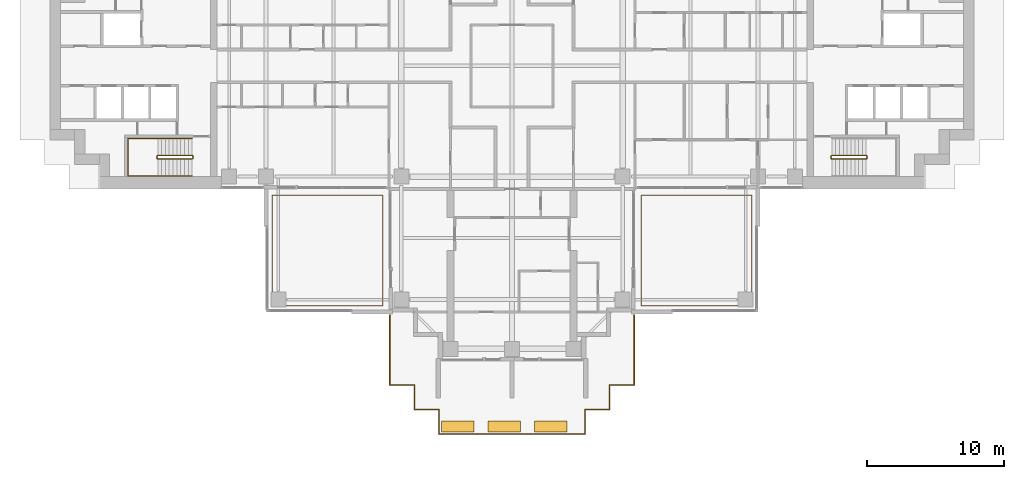
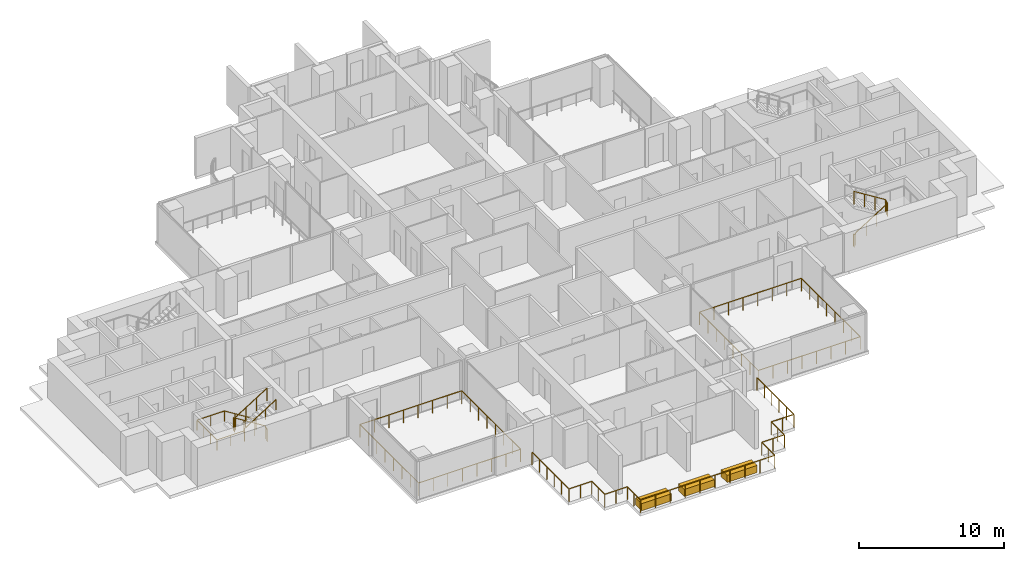
# One storey, part 18 of 20: 6 railings, 3 coverings.
"""IFC4 building model written with IfcOpenShell, lengths in metres."""

from ifc_helpers import new_model, si_unit, direction, frame, origin, origin_2d, place, context, subcontext, project, spatial, rectangle, extrude, material, type_object, element, save


model = new_model("IFC4")

# Units and contexts
model_context = context("Model", 3, precision=1e-05, world=origin(), true_north=direction((0.0, 1.0)))
body_context = subcontext(model_context, "Body", "Model", "MODEL_VIEW")
ifc_project = project(units=[si_unit("LENGTHUNIT", "METRE"), si_unit("AREAUNIT", "SQUARE_METRE"), si_unit("VOLUMEUNIT", "CUBIC_METRE"), si_unit("PLANEANGLEUNIT", "RADIAN"), si_unit("MASSUNIT", "GRAM", prefix="KILO")], contexts=[model_context])

# Site, building, storey
site_placement = place(None, origin())
site = spatial("IfcSite", under=ifc_project, at=site_placement, CompositionType="ELEMENT")
building_placement = place(site_placement, origin())
building = spatial("IfcBuilding", under=site, at=building_placement, Name="Perihelion Cross Residences", CompositionType="ELEMENT")
storey_placement = place(building_placement, frame((0.0, 0.0, 102.39990234375)))
storey = spatial("IfcBuildingStorey", under=building, at=storey_placement, Name="L23", CompositionType="ELEMENT", Elevation=102.39990234375)

# Railings
ifc_material_1 = material(Name="Bronze anodised aluminium", Category="aluminium")
railing_type_1 = type_object("IfcRailingType", Name="Balcony guard 1100", PredefinedType="GUARDRAIL", material=ifc_material_1)
railing_1_placement = place(storey_placement, frame((17.550048828125, -17.550048828125, 0.0)))
element("IfcRailing", 1, at=railing_1_placement, inside=storey, type_object=railing_type_1, Name="Guard GU1 L23 pocket south-east 1", PredefinedType="GUARDRAIL", context=body_context, shape_type="SweptSolid", body=[
    extrude(rectangle(XDim=0.048095703125, YDim=0.048095703125, at=origin_2d()), frame((0.0, 0.0, 1.076171875), z_axis=(-1.0, 0.0, 0.0), x_axis=(0.0, -1.0, 0.0)), (0.0, 0.0, 1.0), 8.10009765625),
    extrude(rectangle(XDim=0.048095703125, YDim=0.048095703125, at=origin_2d()), frame((-8.10009765625, 0.0, 1.076171875), z_axis=(0.0, 1.0, 0.0), x_axis=(-1.0, 0.0, 0.0)), (0.0, 0.0, 1.0), 8.10009765625),
    extrude(rectangle(XDim=0.048095703125, YDim=0.048095703125, at=origin_2d()), frame((-8.10009765625, 8.10009765625, 1.076171875), z_axis=(1.0, 0.0, 0.0), x_axis=(0.0, 1.0, 0.0)), (0.0, 0.0, 1.0), 8.10009765625),
    extrude(rectangle(XDim=0.048095703125, YDim=0.048095703125, at=origin_2d()), frame((0.0, 8.10009765625, 1.076171875), z_axis=(0.0, -1.0, 0.0), x_axis=(1.0, 0.0, 0.0)), (0.0, 0.0, 1.0), 8.10009765625),
    extrude(rectangle(XDim=0.0419921875, YDim=0.0419921875, at=origin_2d()), origin(), (0.0, 0.0, 1.0), 1.052001953125),
    extrude(rectangle(XDim=0.0419921875, YDim=0.0419921875, at=origin_2d()), frame((-1.1572265625, 0.0, 0.0)), (0.0, 0.0, 1.0), 1.052001953125),
    extrude(rectangle(XDim=0.0419921875, YDim=0.0419921875, at=origin_2d()), frame((-2.314208984375, 0.0, 0.0)), (0.0, 0.0, 1.0), 1.052001953125),
    extrude(rectangle(XDim=0.0419921875, YDim=0.0419921875, at=origin_2d()), frame((-3.471435546875, 0.0, 0.0)), (0.0, 0.0, 1.0), 1.052001953125),
    extrude(rectangle(XDim=0.0419921875, YDim=0.0419921875, at=origin_2d()), frame((-4.628662109375, 0.0, 0.0)), (0.0, 0.0, 1.0), 1.052001953125),
    extrude(rectangle(XDim=0.0419921875, YDim=0.0419921875, at=origin_2d()), frame((-5.785888671875, 0.0, 0.0)), (0.0, 0.0, 1.0), 1.052001953125),
    extrude(rectangle(XDim=0.0419921875, YDim=0.0419921875, at=origin_2d()), frame((-6.94287109375, 0.0, 0.0)), (0.0, 0.0, 1.0), 1.052001953125),
    extrude(rectangle(XDim=0.0419921875, YDim=0.0419921875, at=origin_2d()), frame((-8.10009765625, 0.0, 0.0)), (0.0, 0.0, 1.0), 1.052001953125),
    extrude(rectangle(XDim=0.0419921875, YDim=0.0419921875, at=origin_2d()), frame((-8.10009765625, 1.1572265625, 0.0)), (0.0, 0.0, 1.0), 1.052001953125),
    extrude(rectangle(XDim=0.0419921875, YDim=0.0419921875, at=origin_2d()), frame((-8.10009765625, 2.314208984375, 0.0)), (0.0, 0.0, 1.0), 1.052001953125),
    extrude(rectangle(XDim=0.0419921875, YDim=0.0419921875, at=origin_2d()), frame((-8.10009765625, 3.471435546875, 0.0)), (0.0, 0.0, 1.0), 1.052001953125),
    extrude(rectangle(XDim=0.0419921875, YDim=0.0419921875, at=origin_2d()), frame((-8.10009765625, 4.628662109375, 0.0)), (0.0, 0.0, 1.0), 1.052001953125),
    extrude(rectangle(XDim=0.0419921875, YDim=0.0419921875, at=origin_2d()), frame((-8.10009765625, 5.785888671875, 0.0)), (0.0, 0.0, 1.0), 1.052001953125),
    extrude(rectangle(XDim=0.0419921875, YDim=0.0419921875, at=origin_2d()), frame((-8.10009765625, 6.94287109375, 0.0)), (0.0, 0.0, 1.0), 1.052001953125),
    extrude(rectangle(XDim=0.0419921875, YDim=0.0419921875, at=origin_2d()), frame((-8.10009765625, 8.10009765625, 0.0)), (0.0, 0.0, 1.0), 1.052001953125),
    extrude(rectangle(XDim=0.0419921875, YDim=0.0419921875, at=origin_2d()), frame((-6.94287109375, 8.10009765625, 0.0)), (0.0, 0.0, 1.0), 1.052001953125),
    extrude(rectangle(XDim=0.0419921875, YDim=0.0419921875, at=origin_2d()), frame((-5.785888671875, 8.10009765625, 0.0)), (0.0, 0.0, 1.0), 1.052001953125),
    extrude(rectangle(XDim=0.0419921875, YDim=0.0419921875, at=origin_2d()), frame((-4.628662109375, 8.10009765625, 0.0)), (0.0, 0.0, 1.0), 1.052001953125),
    extrude(rectangle(XDim=0.0419921875, YDim=0.0419921875, at=origin_2d()), frame((-3.471435546875, 8.10009765625, 0.0)), (0.0, 0.0, 1.0), 1.052001953125),
    extrude(rectangle(XDim=0.0419921875, YDim=0.0419921875, at=origin_2d()), frame((-2.314208984375, 8.10009765625, 0.0)), (0.0, 0.0, 1.0), 1.052001953125),
    extrude(rectangle(XDim=0.0419921875, YDim=0.0419921875, at=origin_2d()), frame((-1.1572265625, 8.10009765625, 0.0)), (0.0, 0.0, 1.0), 1.052001953125),
    extrude(rectangle(XDim=0.0419921875, YDim=0.0419921875, at=origin_2d()), frame((0.0, 8.10009765625, 0.0)), (0.0, 0.0, 1.0), 1.052001953125),
    extrude(rectangle(XDim=0.0419921875, YDim=0.0419921875, at=origin_2d()), frame((0.0, 6.94287109375, 0.0)), (0.0, 0.0, 1.0), 1.052001953125),
    extrude(rectangle(XDim=0.0419921875, YDim=0.0419921875, at=origin_2d()), frame((0.0, 5.785888671875, 0.0)), (0.0, 0.0, 1.0), 1.052001953125),
    extrude(rectangle(XDim=0.0419921875, YDim=0.0419921875, at=origin_2d()), frame((0.0, 4.628662109375, 0.0)), (0.0, 0.0, 1.0), 1.052001953125),
    extrude(rectangle(XDim=0.0419921875, YDim=0.0419921875, at=origin_2d()), frame((0.0, 3.471435546875, 0.0)), (0.0, 0.0, 1.0), 1.052001953125),
    extrude(rectangle(XDim=0.0419921875, YDim=0.0419921875, at=origin_2d()), frame((0.0, 2.314208984375, 0.0)), (0.0, 0.0, 1.0), 1.052001953125),
    extrude(rectangle(XDim=0.0419921875, YDim=0.0419921875, at=origin_2d()), frame((0.0, 1.1572265625, 0.0)), (0.0, 0.0, 1.0), 1.052001953125),
])
railing_2_placement = place(storey_placement, frame((-9.449951171875, -17.550048828125, 0.0)))
element("IfcRailing", 2, at=railing_2_placement, inside=storey, type_object=railing_type_1, Name="Guard GU1 L23 pocket south-west 1", PredefinedType="GUARDRAIL", context=body_context, shape_type="SweptSolid", body=[
    extrude(rectangle(XDim=0.048095703125, YDim=0.048095703125, at=origin_2d()), frame((0.0, 0.0, 1.076171875), z_axis=(-1.0, 0.0, 0.0), x_axis=(0.0, -1.0, 0.0)), (0.0, 0.0, 1.0), 8.10009765625),
    extrude(rectangle(XDim=0.048095703125, YDim=0.048095703125, at=origin_2d()), frame((-8.10009765625, 0.0, 1.076171875), z_axis=(0.0, 1.0, 0.0), x_axis=(-1.0, 0.0, 0.0)), (0.0, 0.0, 1.0), 8.10009765625),
    extrude(rectangle(XDim=0.048095703125, YDim=0.048095703125, at=origin_2d()), frame((-8.10009765625, 8.10009765625, 1.076171875), z_axis=(1.0, 0.0, 0.0), x_axis=(0.0, 1.0, 0.0)), (0.0, 0.0, 1.0), 8.10009765625),
    extrude(rectangle(XDim=0.048095703125, YDim=0.048095703125, at=origin_2d()), frame((0.0, 8.10009765625, 1.076171875), z_axis=(0.0, -1.0, 0.0), x_axis=(1.0, 0.0, 0.0)), (0.0, 0.0, 1.0), 8.10009765625),
    extrude(rectangle(XDim=0.0419921875, YDim=0.0419921875, at=origin_2d()), origin(), (0.0, 0.0, 1.0), 1.052001953125),
    extrude(rectangle(XDim=0.0419921875, YDim=0.0419921875, at=origin_2d()), frame((-1.1572265625, 0.0, 0.0)), (0.0, 0.0, 1.0), 1.052001953125),
    extrude(rectangle(XDim=0.0419921875, YDim=0.0419921875, at=origin_2d()), frame((-2.314208984375, 0.0, 0.0)), (0.0, 0.0, 1.0), 1.052001953125),
    extrude(rectangle(XDim=0.0419921875, YDim=0.0419921875, at=origin_2d()), frame((-3.471435546875, 0.0, 0.0)), (0.0, 0.0, 1.0), 1.052001953125),
    extrude(rectangle(XDim=0.0419921875, YDim=0.0419921875, at=origin_2d()), frame((-4.628662109375, 0.0, 0.0)), (0.0, 0.0, 1.0), 1.052001953125),
    extrude(rectangle(XDim=0.0419921875, YDim=0.0419921875, at=origin_2d()), frame((-5.785888671875, 0.0, 0.0)), (0.0, 0.0, 1.0), 1.052001953125),
    extrude(rectangle(XDim=0.0419921875, YDim=0.0419921875, at=origin_2d()), frame((-6.94287109375, 0.0, 0.0)), (0.0, 0.0, 1.0), 1.052001953125),
    extrude(rectangle(XDim=0.0419921875, YDim=0.0419921875, at=origin_2d()), frame((-8.10009765625, 0.0, 0.0)), (0.0, 0.0, 1.0), 1.052001953125),
    extrude(rectangle(XDim=0.0419921875, YDim=0.0419921875, at=origin_2d()), frame((-8.10009765625, 1.1572265625, 0.0)), (0.0, 0.0, 1.0), 1.052001953125),
    extrude(rectangle(XDim=0.0419921875, YDim=0.0419921875, at=origin_2d()), frame((-8.10009765625, 2.314208984375, 0.0)), (0.0, 0.0, 1.0), 1.052001953125),
    extrude(rectangle(XDim=0.0419921875, YDim=0.0419921875, at=origin_2d()), frame((-8.10009765625, 3.471435546875, 0.0)), (0.0, 0.0, 1.0), 1.052001953125),
    extrude(rectangle(XDim=0.0419921875, YDim=0.0419921875, at=origin_2d()), frame((-8.10009765625, 4.628662109375, 0.0)), (0.0, 0.0, 1.0), 1.052001953125),
    extrude(rectangle(XDim=0.0419921875, YDim=0.0419921875, at=origin_2d()), frame((-8.10009765625, 5.785888671875, 0.0)), (0.0, 0.0, 1.0), 1.052001953125),
    extrude(rectangle(XDim=0.0419921875, YDim=0.0419921875, at=origin_2d()), frame((-8.10009765625, 6.94287109375, 0.0)), (0.0, 0.0, 1.0), 1.052001953125),
    extrude(rectangle(XDim=0.0419921875, YDim=0.0419921875, at=origin_2d()), frame((-8.10009765625, 8.10009765625, 0.0)), (0.0, 0.0, 1.0), 1.052001953125),
    extrude(rectangle(XDim=0.0419921875, YDim=0.0419921875, at=origin_2d()), frame((-6.94287109375, 8.10009765625, 0.0)), (0.0, 0.0, 1.0), 1.052001953125),
    extrude(rectangle(XDim=0.0419921875, YDim=0.0419921875, at=origin_2d()), frame((-5.785888671875, 8.10009765625, 0.0)), (0.0, 0.0, 1.0), 1.052001953125),
    extrude(rectangle(XDim=0.0419921875, YDim=0.0419921875, at=origin_2d()), frame((-4.628662109375, 8.10009765625, 0.0)), (0.0, 0.0, 1.0), 1.052001953125),
    extrude(rectangle(XDim=0.0419921875, YDim=0.0419921875, at=origin_2d()), frame((-3.471435546875, 8.10009765625, 0.0)), (0.0, 0.0, 1.0), 1.052001953125),
    extrude(rectangle(XDim=0.0419921875, YDim=0.0419921875, at=origin_2d()), frame((-2.314208984375, 8.10009765625, 0.0)), (0.0, 0.0, 1.0), 1.052001953125),
    extrude(rectangle(XDim=0.0419921875, YDim=0.0419921875, at=origin_2d()), frame((-1.1572265625, 8.10009765625, 0.0)), (0.0, 0.0, 1.0), 1.052001953125),
    extrude(rectangle(XDim=0.0419921875, YDim=0.0419921875, at=origin_2d()), frame((0.0, 8.10009765625, 0.0)), (0.0, 0.0, 1.0), 1.052001953125),
    extrude(rectangle(XDim=0.0419921875, YDim=0.0419921875, at=origin_2d()), frame((0.0, 6.94287109375, 0.0)), (0.0, 0.0, 1.0), 1.052001953125),
    extrude(rectangle(XDim=0.0419921875, YDim=0.0419921875, at=origin_2d()), frame((0.0, 5.785888671875, 0.0)), (0.0, 0.0, 1.0), 1.052001953125),
    extrude(rectangle(XDim=0.0419921875, YDim=0.0419921875, at=origin_2d()), frame((0.0, 4.628662109375, 0.0)), (0.0, 0.0, 1.0), 1.052001953125),
    extrude(rectangle(XDim=0.0419921875, YDim=0.0419921875, at=origin_2d()), frame((0.0, 3.471435546875, 0.0)), (0.0, 0.0, 1.0), 1.052001953125),
    extrude(rectangle(XDim=0.0419921875, YDim=0.0419921875, at=origin_2d()), frame((0.0, 2.314208984375, 0.0)), (0.0, 0.0, 1.0), 1.052001953125),
    extrude(rectangle(XDim=0.0419921875, YDim=0.0419921875, at=origin_2d()), frame((0.0, 1.1572265625, 0.0)), (0.0, 0.0, 1.0), 1.052001953125),
])

# Coverings
ifc_material_2 = material(Name="Precast concrete C40/50", Category="concrete")
covering_type = type_object("IfcCoveringType", Name="Planter box 2400", PredefinedType="USERDEFINED", material=ifc_material_2)
for number, where, z_axis, x_axis, name in (
    (3, (2.830078125, -26.389892578125, 0.0), (0.0, 0.0, 1.0), (-1.0, 0.0, 0.0), "Planter PT1 L23 terrace 1 1"),
    (4, (-0.570068359375, -26.389892578125, 0.0), (0.0, 0.0, 1.0), (-1.0, 0.0, 0.0), "Planter PT1 L23 terrace 1 2"),
    (5, (-3.969970703125, -26.389892578125, 0.0), (0.0, 0.0, 1.0), (-1.0, 0.0, 0.0), "Planter PT1 L23 terrace 1 3"),
):
    element("IfcCovering", number, at=place(storey_placement, frame(where, z_axis=z_axis, x_axis=x_axis)), inside=storey, type_object=covering_type, Name=name, ObjectType="PLANTER", PredefinedType="USERDEFINED", context=body_context, shape_type="SweptSolid", body=[
        extrude(rectangle(XDim=2.39990234375, YDim=0.800048828125, at=origin_2d()), origin(), (0.0, 0.0, 1.0), 0.60009765625),
    ])

# Railings
ifc_material_3 = material(Name="Stainless steel", Category="steel")
railing_type_2 = type_object("IfcRailingType", Name="Stair guard 1100", PredefinedType="GUARDRAIL", material=ifc_material_3)
railing_3_placement = place(storey_placement, frame((23.35009765625, -6.60009765625, 0.0)))
element("IfcRailing", 6, at=railing_3_placement, inside=storey, type_object=railing_type_2, Name="L23 ST-E2 stair guard 1", PredefinedType="GUARDRAIL", context=body_context, shape_type="SweptSolid", body=[
    extrude(rectangle(XDim=0.048095703125, YDim=0.048095703125, at=origin_2d()), frame((0.0, 0.0, 1.076171875), z_axis=(0.0, -1.0, 0.0), x_axis=(1.0, 0.0, 0.0)), (0.0, 0.0, 1.0), 0.14990234375),
    extrude(rectangle(XDim=0.048095703125, YDim=0.048095703125, at=origin_2d()), frame((0.0, -0.14990234375, 1.076171875), z_axis=(0.263862480399, -0.265155923931, 0.927399011991), x_axis=(0.708833529934, 0.705375805398, 0.0)), (0.0, 0.0, 1.0), 0.188720703125),
    extrude(rectangle(XDim=0.048095703125, YDim=0.048095703125, at=origin_2d()), frame((0.0498046875, -0.199951171875, 1.2509765625), z_axis=(0.848007534815, 0.0, 0.529984170421), x_axis=(0.0, 1.0, 0.0)), (0.0, 0.0, 1.0), 2.9716796875),
    extrude(rectangle(XDim=0.048095703125, YDim=0.048095703125, at=origin_2d()), frame((2.56982421875, -0.199951171875, 2.826171875), z_axis=(0.707106781187, 0.707106781187, 0.0), x_axis=(-0.707106781187, 0.707106781187, 0.0)), (0.0, 0.0, 1.0), 0.07080078125),
    extrude(rectangle(XDim=0.048095703125, YDim=0.048095703125, at=origin_2d()), frame((2.619873046875, -0.14990234375, 2.826171875), z_axis=(0.0, 1.0, 0.0), x_axis=(-1.0, 0.0, 0.0)), (0.0, 0.0, 1.0), 0.14990234375),
    extrude(rectangle(XDim=0.048095703125, YDim=0.048095703125, at=origin_2d()), frame((2.619873046875, 0.0, 2.826171875), z_axis=(-0.265065253269, 0.265065253269, 0.927081885822), x_axis=(-0.707106781187, -0.707106781187, 0.0)), (0.0, 0.0, 1.0), 0.188720703125),
    extrude(rectangle(XDim=0.048095703125, YDim=0.048095703125, at=origin_2d()), frame((2.56982421875, 0.050048828125, 3.0009765625), z_axis=(-0.848007534815, 0.0, 0.529984170421), x_axis=(0.0, -1.0, 0.0)), (0.0, 0.0, 1.0), 2.9716796875),
    extrude(rectangle(XDim=0.0419921875, YDim=0.0419921875, at=origin_2d()), origin(), (0.0, 0.0, 1.0), 1.052001953125),
    extrude(rectangle(XDim=0.0419921875, YDim=0.0419921875, at=origin_2d()), frame((0.0, -0.14990234375, 0.0)), (0.0, 0.0, 1.0), 1.052001953125),
    extrude(rectangle(XDim=0.0419921875, YDim=0.0419921875, at=origin_2d()), frame((0.0498046875, -0.199951171875, 0.175048828125)), (0.0, 0.0, 1.0), 1.052001953125),
    extrude(rectangle(XDim=0.0419921875, YDim=0.0419921875, at=origin_2d()), frame((0.889892578125, -0.199951171875, 0.699951171875)), (0.0, 0.0, 1.0), 1.052001953125),
    extrude(rectangle(XDim=0.0419921875, YDim=0.0419921875, at=origin_2d()), frame((1.729736328125, -0.199951171875, 1.22509765625)), (0.0, 0.0, 1.0), 1.052001953125),
    extrude(rectangle(XDim=0.0419921875, YDim=0.0419921875, at=origin_2d()), frame((2.56982421875, -0.199951171875, 1.75)), (0.0, 0.0, 1.0), 1.052001953125),
    extrude(rectangle(XDim=0.0419921875, YDim=0.0419921875, at=origin_2d()), frame((2.619873046875, -0.14990234375, 1.75)), (0.0, 0.0, 1.0), 1.052001953125),
    extrude(rectangle(XDim=0.0419921875, YDim=0.0419921875, at=origin_2d()), frame((2.619873046875, 0.0, 1.75)), (0.0, 0.0, 1.0), 1.052001953125),
    extrude(rectangle(XDim=0.0419921875, YDim=0.0419921875, at=origin_2d()), frame((2.56982421875, 0.050048828125, 1.925048828125)), (0.0, 0.0, 1.0), 1.052001953125),
    extrude(rectangle(XDim=0.0419921875, YDim=0.0419921875, at=origin_2d()), frame((1.729736328125, 0.050048828125, 2.449951171875)), (0.0, 0.0, 1.0), 1.052001953125),
    extrude(rectangle(XDim=0.0419921875, YDim=0.0419921875, at=origin_2d()), frame((0.889892578125, 0.050048828125, 2.97509765625)), (0.0, 0.0, 1.0), 1.052001953125),
    extrude(rectangle(XDim=0.0419921875, YDim=0.0419921875, at=origin_2d()), frame((0.0498046875, 0.050048828125, 3.5)), (0.0, 0.0, 1.0), 1.052001953125),
])
railing_4_placement = place(storey_placement, frame((-23.35009765625, -6.75, 0.0)))
element("IfcRailing", 7, at=railing_4_placement, inside=storey, type_object=railing_type_2, Name="L23 ST-W2 stair guard 1", PredefinedType="GUARDRAIL", context=body_context, shape_type="SweptSolid", body=[
    extrude(rectangle(XDim=0.048095703125, YDim=0.048095703125, at=origin_2d()), frame((0.0, 0.0, 1.076171875), z_axis=(0.0, 1.0, 0.0), x_axis=(-1.0, 0.0, 0.0)), (0.0, 0.0, 1.0), 0.14990234375),
    extrude(rectangle(XDim=0.048095703125, YDim=0.048095703125, at=origin_2d()), frame((0.0, 0.14990234375, 1.076171875), z_axis=(-0.263862480399, 0.265155923931, 0.927399011991), x_axis=(-0.708833529934, -0.705375805398, 0.0)), (0.0, 0.0, 1.0), 0.188720703125),
    extrude(rectangle(XDim=0.048095703125, YDim=0.048095703125, at=origin_2d()), frame((-0.0498046875, 0.199951171875, 1.2509765625), z_axis=(-0.848007534815, 0.0, 0.529984170421), x_axis=(0.0, -1.0, 0.0)), (0.0, 0.0, 1.0), 2.9716796875),
    extrude(rectangle(XDim=0.048095703125, YDim=0.048095703125, at=origin_2d()), frame((-2.56982421875, 0.199951171875, 2.826171875), z_axis=(-0.707106781187, -0.707106781187, 0.0), x_axis=(0.707106781187, -0.707106781187, 0.0)), (0.0, 0.0, 1.0), 0.07080078125),
    extrude(rectangle(XDim=0.048095703125, YDim=0.048095703125, at=origin_2d()), frame((-2.619873046875, 0.14990234375, 2.826171875), z_axis=(0.0, -1.0, 0.0), x_axis=(1.0, 0.0, 0.0)), (0.0, 0.0, 1.0), 0.14990234375),
    extrude(rectangle(XDim=0.048095703125, YDim=0.048095703125, at=origin_2d()), frame((-2.619873046875, 0.0, 2.826171875), z_axis=(0.265065253269, -0.265065253269, 0.927081885822), x_axis=(0.707106781187, 0.707106781187, 0.0)), (0.0, 0.0, 1.0), 0.188720703125),
    extrude(rectangle(XDim=0.048095703125, YDim=0.048095703125, at=origin_2d()), frame((-2.56982421875, -0.050048828125, 3.0009765625), z_axis=(0.848007534815, 0.0, 0.529984170421), x_axis=(0.0, 1.0, 0.0)), (0.0, 0.0, 1.0), 2.9716796875),
    extrude(rectangle(XDim=0.0419921875, YDim=0.0419921875, at=origin_2d()), origin(), (0.0, 0.0, 1.0), 1.052001953125),
    extrude(rectangle(XDim=0.0419921875, YDim=0.0419921875, at=origin_2d()), frame((0.0, 0.14990234375, 0.0)), (0.0, 0.0, 1.0), 1.052001953125),
    extrude(rectangle(XDim=0.0419921875, YDim=0.0419921875, at=origin_2d()), frame((-0.0498046875, 0.199951171875, 0.175048828125)), (0.0, 0.0, 1.0), 1.052001953125),
    extrude(rectangle(XDim=0.0419921875, YDim=0.0419921875, at=origin_2d()), frame((-0.889892578125, 0.199951171875, 0.699951171875)), (0.0, 0.0, 1.0), 1.052001953125),
    extrude(rectangle(XDim=0.0419921875, YDim=0.0419921875, at=origin_2d()), frame((-1.729736328125, 0.199951171875, 1.22509765625)), (0.0, 0.0, 1.0), 1.052001953125),
    extrude(rectangle(XDim=0.0419921875, YDim=0.0419921875, at=origin_2d()), frame((-2.56982421875, 0.199951171875, 1.75)), (0.0, 0.0, 1.0), 1.052001953125),
    extrude(rectangle(XDim=0.0419921875, YDim=0.0419921875, at=origin_2d()), frame((-2.619873046875, 0.14990234375, 1.75)), (0.0, 0.0, 1.0), 1.052001953125),
    extrude(rectangle(XDim=0.0419921875, YDim=0.0419921875, at=origin_2d()), frame((-2.619873046875, 0.0, 1.75)), (0.0, 0.0, 1.0), 1.052001953125),
    extrude(rectangle(XDim=0.0419921875, YDim=0.0419921875, at=origin_2d()), frame((-2.56982421875, -0.050048828125, 1.925048828125)), (0.0, 0.0, 1.0), 1.052001953125),
    extrude(rectangle(XDim=0.0419921875, YDim=0.0419921875, at=origin_2d()), frame((-1.729736328125, -0.050048828125, 2.449951171875)), (0.0, 0.0, 1.0), 1.052001953125),
    extrude(rectangle(XDim=0.0419921875, YDim=0.0419921875, at=origin_2d()), frame((-0.889892578125, -0.050048828125, 2.97509765625)), (0.0, 0.0, 1.0), 1.052001953125),
    extrude(rectangle(XDim=0.0419921875, YDim=0.0419921875, at=origin_2d()), frame((-0.0498046875, -0.050048828125, 3.5)), (0.0, 0.0, 1.0), 1.052001953125),
])
ifc_material_4 = material(Name="Stainless steel", Category="steel")
railing_type_3 = type_object("IfcRailingType", Name="Stair handrail 900", PredefinedType="HANDRAIL", material=ifc_material_4)
railing_5_placement = place(storey_placement, frame((-23.39990234375, -5.300048828125, 0.175048828125)))
element("IfcRailing", 8, at=railing_5_placement, inside=storey, type_object=railing_type_3, Name="L23 ST-W2 stair handrail 1", PredefinedType="HANDRAIL", context=body_context, shape_type="SweptSolid", body=[
    extrude(rectangle(XDim=0.048095703125, YDim=0.048095703125, at=origin_2d()), frame((0.0, 0.0, 0.8759765625), z_axis=(-0.848007534815, 0.0, 0.529984170421), x_axis=(0.0, -1.0, 0.0)), (0.0, 0.0, 1.0), 2.9716796875),
    extrude(rectangle(XDim=0.048095703125, YDim=0.048095703125, at=origin_2d()), frame((-2.52001953125, 0.0, 2.45068359375), z_axis=(-1.0, 0.0, 0.0), x_axis=(0.0, -1.0, 0.0)), (0.0, 0.0, 1.0), 2.18017578125),
    extrude(rectangle(XDim=0.048095703125, YDim=0.048095703125, at=origin_2d()), frame((-4.7001953125, 0.0, 2.45068359375), z_axis=(0.0, -1.0, 0.0), x_axis=(1.0, 0.0, 0.0)), (0.0, 0.0, 1.0), 2.75),
    extrude(rectangle(XDim=0.048095703125, YDim=0.048095703125, at=origin_2d()), frame((-4.7001953125, -2.75, 2.45068359375), z_axis=(1.0, 0.0, 0.0), x_axis=(0.0, 1.0, 0.0)), (0.0, 0.0, 1.0), 2.18017578125),
    extrude(rectangle(XDim=0.048095703125, YDim=0.048095703125, at=origin_2d()), frame((-2.52001953125, -2.75, 2.45068359375), z_axis=(0.0, 0.0, 1.0), x_axis=(1.0, 0.0, 0.0)), (0.0, 0.0, 1.0), 0.175048828125),
    extrude(rectangle(XDim=0.048095703125, YDim=0.048095703125, at=origin_2d()), frame((-2.52001953125, -2.75, 2.6259765625), z_axis=(0.848007534815, 0.0, 0.529984170421), x_axis=(0.0, 1.0, 0.0)), (0.0, 0.0, 1.0), 2.9716796875),
    extrude(rectangle(XDim=0.0419921875, YDim=0.0419921875, at=origin_2d()), origin(), (0.0, 0.0, 1.0), 0.851806640625),
    extrude(rectangle(XDim=0.0419921875, YDim=0.0419921875, at=origin_2d()), frame((-0.840087890625, 0.0, 0.52490234375)), (0.0, 0.0, 1.0), 0.851806640625),
    extrude(rectangle(XDim=0.0419921875, YDim=0.0419921875, at=origin_2d()), frame((-1.679931640625, 0.0, 1.050048828125)), (0.0, 0.0, 1.0), 0.851806640625),
    extrude(rectangle(XDim=0.0419921875, YDim=0.0419921875, at=origin_2d()), frame((-2.52001953125, 0.0, 1.574951171875)), (0.0, 0.0, 1.0), 0.851806640625),
    extrude(rectangle(XDim=0.0419921875, YDim=0.0419921875, at=origin_2d()), frame((-3.610107421875, 0.0, 1.574951171875)), (0.0, 0.0, 1.0), 0.851806640625),
    extrude(rectangle(XDim=0.0419921875, YDim=0.0419921875, at=origin_2d()), frame((-4.7001953125, 0.0, 1.574951171875)), (0.0, 0.0, 1.0), 0.851806640625),
    extrude(rectangle(XDim=0.0419921875, YDim=0.0419921875, at=origin_2d()), frame((-4.7001953125, -0.916748046875, 1.574951171875)), (0.0, 0.0, 1.0), 0.851806640625),
    extrude(rectangle(XDim=0.0419921875, YDim=0.0419921875, at=origin_2d()), frame((-4.7001953125, -1.833251953125, 1.574951171875)), (0.0, 0.0, 1.0), 0.851806640625),
    extrude(rectangle(XDim=0.0419921875, YDim=0.0419921875, at=origin_2d()), frame((-4.7001953125, -2.75, 1.574951171875)), (0.0, 0.0, 1.0), 0.851806640625),
    extrude(rectangle(XDim=0.0419921875, YDim=0.0419921875, at=origin_2d()), frame((-3.610107421875, -2.75, 1.574951171875)), (0.0, 0.0, 1.0), 0.851806640625),
    extrude(rectangle(XDim=0.0419921875, YDim=0.0419921875, at=origin_2d()), frame((-2.52001953125, -2.75, 1.574951171875)), (0.0, 0.0, 1.0), 0.851806640625),
    extrude(rectangle(XDim=0.0419921875, YDim=0.0419921875, at=origin_2d()), frame((-2.52001953125, -2.75, 1.75)), (0.0, 0.0, 1.0), 0.851806640625),
    extrude(rectangle(XDim=0.0419921875, YDim=0.0419921875, at=origin_2d()), frame((-1.679931640625, -2.75, 2.27490234375)), (0.0, 0.0, 1.0), 0.851806640625),
    extrude(rectangle(XDim=0.0419921875, YDim=0.0419921875, at=origin_2d()), frame((-0.840087890625, -2.75, 2.800048828125)), (0.0, 0.0, 1.0), 0.851806640625),
    extrude(rectangle(XDim=0.0419921875, YDim=0.0419921875, at=origin_2d()), frame((0.0, -2.75, 3.324951171875)), (0.0, 0.0, 1.0), 0.851806640625),
])
ifc_material_5 = material(Name="Bronze anodised aluminium", Category="aluminium")
railing_type_4 = type_object("IfcRailingType", Name="Terrace guard 1100", PredefinedType="GUARDRAIL", material=ifc_material_5)
railing_6_placement = place(storey_placement, frame((8.93994140625, -18.25, 0.0)))
element("IfcRailing", 9, at=railing_6_placement, inside=storey, type_object=railing_type_4, Name="Guard GU2 L23 terrace 1 1", PredefinedType="GUARDRAIL", context=body_context, shape_type="SweptSolid", body=[
    extrude(rectangle(XDim=0.048095703125, YDim=0.048095703125, at=origin_2d()), frame((0.0, 0.0, 1.076171875), z_axis=(0.0, -1.0, 0.0), x_axis=(1.0, 0.0, 0.0)), (0.0, 0.0, 1.0), 5.090087890625),
    extrude(rectangle(XDim=0.048095703125, YDim=0.048095703125, at=origin_2d()), frame((0.0, -5.090087890625, 1.076171875), z_axis=(-1.0, 0.0, 0.0), x_axis=(0.0, -1.0, 0.0)), (0.0, 0.0, 1.0), 1.800048828125),
    extrude(rectangle(XDim=0.048095703125, YDim=0.048095703125, at=origin_2d()), frame((-1.800048828125, -5.090087890625, 1.076171875), z_axis=(0.0, -1.0, 0.0), x_axis=(1.0, 0.0, 0.0)), (0.0, 0.0, 1.0), 1.7998046875),
    extrude(rectangle(XDim=0.048095703125, YDim=0.048095703125, at=origin_2d()), frame((-1.800048828125, -6.889892578125, 1.076171875), z_axis=(-1.0, 0.0, 0.0), x_axis=(0.0, -1.0, 0.0)), (0.0, 0.0, 1.0), 1.7998046875),
    extrude(rectangle(XDim=0.048095703125, YDim=0.048095703125, at=origin_2d()), frame((-3.599853515625, -6.889892578125, 1.076171875), z_axis=(0.0, -1.0, 0.0), x_axis=(1.0, 0.0, 0.0)), (0.0, 0.0, 1.0), 1.800048828125),
    extrude(rectangle(XDim=0.048095703125, YDim=0.048095703125, at=origin_2d()), frame((-3.599853515625, -8.68994140625, 1.076171875), z_axis=(-1.0, 0.0, 0.0), x_axis=(0.0, -1.0, 0.0)), (0.0, 0.0, 1.0), 10.68017578125),
    extrude(rectangle(XDim=0.048095703125, YDim=0.048095703125, at=origin_2d()), frame((-14.280029296875, -8.68994140625, 1.076171875), z_axis=(0.0, 1.0, 0.0), x_axis=(-1.0, 0.0, 0.0)), (0.0, 0.0, 1.0), 1.800048828125),
    extrude(rectangle(XDim=0.048095703125, YDim=0.048095703125, at=origin_2d()), frame((-14.280029296875, -6.889892578125, 1.076171875), z_axis=(-1.0, 0.0, 0.0), x_axis=(0.0, -1.0, 0.0)), (0.0, 0.0, 1.0), 1.7998046875),
    extrude(rectangle(XDim=0.048095703125, YDim=0.048095703125, at=origin_2d()), frame((-16.079833984375, -6.889892578125, 1.076171875), z_axis=(0.0, 1.0, 0.0), x_axis=(-1.0, 0.0, 0.0)), (0.0, 0.0, 1.0), 1.7998046875),
    extrude(rectangle(XDim=0.048095703125, YDim=0.048095703125, at=origin_2d()), frame((-16.079833984375, -5.090087890625, 1.076171875), z_axis=(-1.0, 0.0, 0.0), x_axis=(0.0, -1.0, 0.0)), (0.0, 0.0, 1.0), 1.800048828125),
    extrude(rectangle(XDim=0.048095703125, YDim=0.048095703125, at=origin_2d()), frame((-17.8798828125, -5.090087890625, 1.076171875), z_axis=(0.0, 1.0, 0.0), x_axis=(-1.0, 0.0, 0.0)), (0.0, 0.0, 1.0), 5.090087890625),
    extrude(rectangle(XDim=0.0419921875, YDim=0.0419921875, at=origin_2d()), origin(), (0.0, 0.0, 1.0), 1.052001953125),
    extrude(rectangle(XDim=0.0419921875, YDim=0.0419921875, at=origin_2d()), frame((0.0, -1.01806640625, 0.0)), (0.0, 0.0, 1.0), 1.052001953125),
    extrude(rectangle(XDim=0.0419921875, YDim=0.0419921875, at=origin_2d()), frame((0.0, -2.0361328125, 0.0)), (0.0, 0.0, 1.0), 1.052001953125),
    extrude(rectangle(XDim=0.0419921875, YDim=0.0419921875, at=origin_2d()), frame((0.0, -3.053955078125, 0.0)), (0.0, 0.0, 1.0), 1.052001953125),
    extrude(rectangle(XDim=0.0419921875, YDim=0.0419921875, at=origin_2d()), frame((0.0, -4.072021484375, 0.0)), (0.0, 0.0, 1.0), 1.052001953125),
    extrude(rectangle(XDim=0.0419921875, YDim=0.0419921875, at=origin_2d()), frame((0.0, -5.090087890625, 0.0)), (0.0, 0.0, 1.0), 1.052001953125),
    extrude(rectangle(XDim=0.0419921875, YDim=0.0419921875, at=origin_2d()), frame((-0.89990234375, -5.090087890625, 0.0)), (0.0, 0.0, 1.0), 1.052001953125),
    extrude(rectangle(XDim=0.0419921875, YDim=0.0419921875, at=origin_2d()), frame((-1.800048828125, -5.090087890625, 0.0)), (0.0, 0.0, 1.0), 1.052001953125),
    extrude(rectangle(XDim=0.0419921875, YDim=0.0419921875, at=origin_2d()), frame((-1.800048828125, -5.989990234375, 0.0)), (0.0, 0.0, 1.0), 1.052001953125),
    extrude(rectangle(XDim=0.0419921875, YDim=0.0419921875, at=origin_2d()), frame((-1.800048828125, -6.889892578125, 0.0)), (0.0, 0.0, 1.0), 1.052001953125),
    extrude(rectangle(XDim=0.0419921875, YDim=0.0419921875, at=origin_2d()), frame((-2.699951171875, -6.889892578125, 0.0)), (0.0, 0.0, 1.0), 1.052001953125),
    extrude(rectangle(XDim=0.0419921875, YDim=0.0419921875, at=origin_2d()), frame((-3.599853515625, -6.889892578125, 0.0)), (0.0, 0.0, 1.0), 1.052001953125),
    extrude(rectangle(XDim=0.0419921875, YDim=0.0419921875, at=origin_2d()), frame((-3.599853515625, -7.7900390625, 0.0)), (0.0, 0.0, 1.0), 1.052001953125),
    extrude(rectangle(XDim=0.0419921875, YDim=0.0419921875, at=origin_2d()), frame((-3.599853515625, -8.68994140625, 0.0)), (0.0, 0.0, 1.0), 1.052001953125),
    extrude(rectangle(XDim=0.0419921875, YDim=0.0419921875, at=origin_2d()), frame((-4.78662109375, -8.68994140625, 0.0)), (0.0, 0.0, 1.0), 1.052001953125),
    extrude(rectangle(XDim=0.0419921875, YDim=0.0419921875, at=origin_2d()), frame((-5.97314453125, -8.68994140625, 0.0)), (0.0, 0.0, 1.0), 1.052001953125),
    extrude(rectangle(XDim=0.0419921875, YDim=0.0419921875, at=origin_2d()), frame((-7.159912109375, -8.68994140625, 0.0)), (0.0, 0.0, 1.0), 1.052001953125),
    extrude(rectangle(XDim=0.0419921875, YDim=0.0419921875, at=origin_2d()), frame((-8.3466796875, -8.68994140625, 0.0)), (0.0, 0.0, 1.0), 1.052001953125),
    extrude(rectangle(XDim=0.0419921875, YDim=0.0419921875, at=origin_2d()), frame((-9.533203125, -8.68994140625, 0.0)), (0.0, 0.0, 1.0), 1.052001953125),
    extrude(rectangle(XDim=0.0419921875, YDim=0.0419921875, at=origin_2d()), frame((-10.719970703125, -8.68994140625, 0.0)), (0.0, 0.0, 1.0), 1.052001953125),
    extrude(rectangle(XDim=0.0419921875, YDim=0.0419921875, at=origin_2d()), frame((-11.90673828125, -8.68994140625, 0.0)), (0.0, 0.0, 1.0), 1.052001953125),
    extrude(rectangle(XDim=0.0419921875, YDim=0.0419921875, at=origin_2d()), frame((-13.09326171875, -8.68994140625, 0.0)), (0.0, 0.0, 1.0), 1.052001953125),
    extrude(rectangle(XDim=0.0419921875, YDim=0.0419921875, at=origin_2d()), frame((-14.280029296875, -8.68994140625, 0.0)), (0.0, 0.0, 1.0), 1.052001953125),
    extrude(rectangle(XDim=0.0419921875, YDim=0.0419921875, at=origin_2d()), frame((-14.280029296875, -7.7900390625, 0.0)), (0.0, 0.0, 1.0), 1.052001953125),
    extrude(rectangle(XDim=0.0419921875, YDim=0.0419921875, at=origin_2d()), frame((-14.280029296875, -6.889892578125, 0.0)), (0.0, 0.0, 1.0), 1.052001953125),
    extrude(rectangle(XDim=0.0419921875, YDim=0.0419921875, at=origin_2d()), frame((-15.179931640625, -6.889892578125, 0.0)), (0.0, 0.0, 1.0), 1.052001953125),
    extrude(rectangle(XDim=0.0419921875, YDim=0.0419921875, at=origin_2d()), frame((-16.079833984375, -6.889892578125, 0.0)), (0.0, 0.0, 1.0), 1.052001953125),
    extrude(rectangle(XDim=0.0419921875, YDim=0.0419921875, at=origin_2d()), frame((-16.079833984375, -5.989990234375, 0.0)), (0.0, 0.0, 1.0), 1.052001953125),
    extrude(rectangle(XDim=0.0419921875, YDim=0.0419921875, at=origin_2d()), frame((-16.079833984375, -5.090087890625, 0.0)), (0.0, 0.0, 1.0), 1.052001953125),
    extrude(rectangle(XDim=0.0419921875, YDim=0.0419921875, at=origin_2d()), frame((-16.97998046875, -5.090087890625, 0.0)), (0.0, 0.0, 1.0), 1.052001953125),
    extrude(rectangle(XDim=0.0419921875, YDim=0.0419921875, at=origin_2d()), frame((-17.8798828125, -5.090087890625, 0.0)), (0.0, 0.0, 1.0), 1.052001953125),
    extrude(rectangle(XDim=0.0419921875, YDim=0.0419921875, at=origin_2d()), frame((-17.8798828125, -4.072021484375, 0.0)), (0.0, 0.0, 1.0), 1.052001953125),
    extrude(rectangle(XDim=0.0419921875, YDim=0.0419921875, at=origin_2d()), frame((-17.8798828125, -3.053955078125, 0.0)), (0.0, 0.0, 1.0), 1.052001953125),
    extrude(rectangle(XDim=0.0419921875, YDim=0.0419921875, at=origin_2d()), frame((-17.8798828125, -2.0361328125, 0.0)), (0.0, 0.0, 1.0), 1.052001953125),
    extrude(rectangle(XDim=0.0419921875, YDim=0.0419921875, at=origin_2d()), frame((-17.8798828125, -1.01806640625, 0.0)), (0.0, 0.0, 1.0), 1.052001953125),
    extrude(rectangle(XDim=0.0419921875, YDim=0.0419921875, at=origin_2d()), frame((-17.8798828125, 0.0, 0.0)), (0.0, 0.0, 1.0), 1.052001953125),
])

save(model, "model.ifc")
